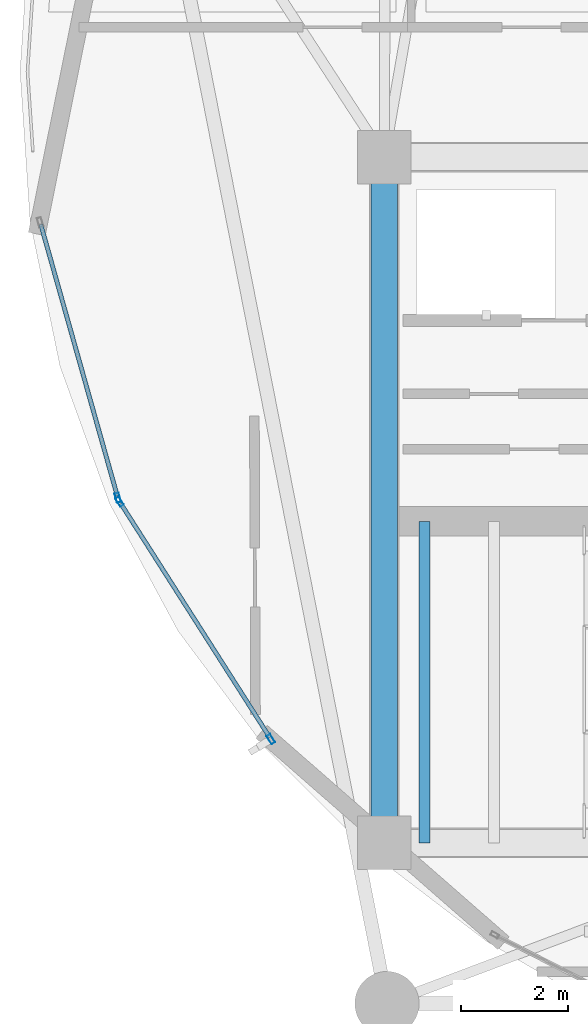
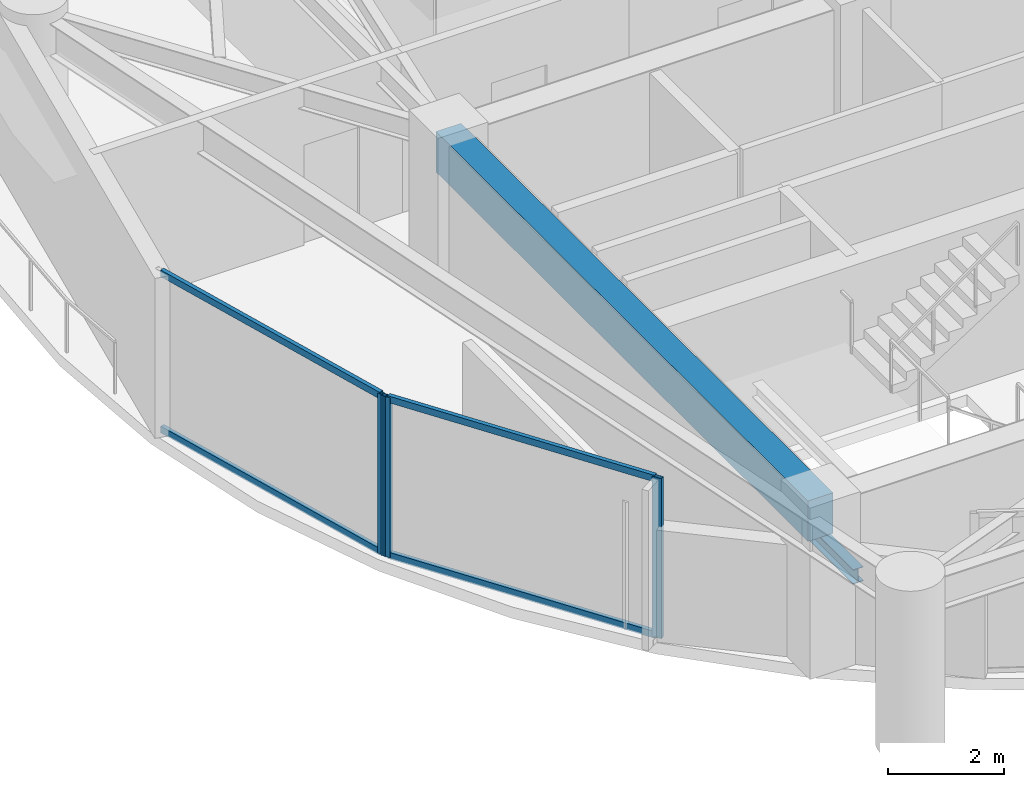
# One storey, part 3 of 28: 7 members, 2 beams, 2 elements without a shape of their own.
"""IFC4 building model written with IfcOpenShell, lengths in metres."""

from ifc_helpers import new_model, si_unit, direction, frame, origin, origin_2d, place, context, subcontext, project, spatial, rectangle, hollow_rectangle, i_section, extrude, material, layer, layer_set, material_profile, profile_set, type_object, element, aggregate, save


model = new_model("IFC4")

# Units and contexts
model_context = context("Model", 3, precision=1e-05, world=origin(), true_north=direction((0.0, 1.0)))
body_context = subcontext(model_context, "Body", "Model", "MODEL_VIEW")
ifc_project = project(units=[si_unit("LENGTHUNIT", "METRE"), si_unit("AREAUNIT", "SQUARE_METRE"), si_unit("VOLUMEUNIT", "CUBIC_METRE"), si_unit("PLANEANGLEUNIT", "RADIAN"), si_unit("MASSUNIT", "GRAM", prefix="KILO")], contexts=[model_context])

# Site, building, storey
site_placement = place(None, origin())
site = spatial("IfcSite", under=ifc_project, at=site_placement, CompositionType="ELEMENT")
building_placement = place(site_placement, origin())
building = spatial("IfcBuilding", under=site, at=building_placement, Name="Kazevale Care Tower and Concert Hall", CompositionType="ELEMENT")
storey_placement = place(building_placement, frame((0.0, 0.0, 135.0)))
storey = spatial("IfcBuildingStorey", under=building, at=storey_placement, Name="L35", CompositionType="ELEMENT", Elevation=135.0)

# Curtain wall, members
ifc_material_1 = material(Name="Aluminium 6063-T6 and Low-E Glass", Category="aluminium")
ifc_layer = layer(ifc_material_1, 0.179931640625)
ifc_layer_set = layer_set([ifc_layer], Name="Aluminium 6063-T6 and Low-E Glass")
curtain_wall_type = type_object("IfcCurtainWallType", Name="Waist & Upper Residential Curtain Wall CW-4", PredefinedType="NOTDEFINED", material=ifc_layer_set)
curtain_wall_1_placement = place(storey_placement, origin())
curtain_wall_1 = element("IfcCurtainWall", 1, at=curtain_wall_1_placement, inside=storey, type_object=curtain_wall_type, Name="cw:L35:f11", PredefinedType="NOTDEFINED")
ifc_material_2 = material(Name="Aluminium 6063-T6", Category="aluminium")
ifc_material_profile_1 = material_profile(ifc_material_2, hollow_rectangle(XDim=0.080078125, YDim=0.179931640625, WallThickness=0.0048828125, at=origin_2d()), Name="ALU80x180x5")
ifc_profile_set_1 = profile_set([ifc_material_profile_1], Name="Aluminium 6063-T6")
member_type_1 = type_object("IfcMemberType", Name="CW-4 Mullion ALU80x180x5", PredefinedType="MULLION", material=ifc_profile_set_1)
member_1_placement = place(storey_placement, frame((19.882568359375, 25.53564453125, 0.0), z_axis=(0.0, 0.0, 1.0), x_axis=(-0.843429930967, -0.537239193981, 0.0)))
member_1 = element("IfcMember", 2, at=member_1_placement, type_object=member_type_1, Name="CW-4 mullion 1", PredefinedType="MULLION", context=body_context, shape_type="SweptSolid", body=[
    extrude(hollow_rectangle(XDim=0.080078125, YDim=0.179931640625, WallThickness=0.0048828125, at=origin_2d()), origin(), (0.0, 0.0, 1.0), 3.360107421875),
])
member_2_placement = place(storey_placement, frame((17.05859375, 29.96923828125, 0.0), z_axis=(0.0, 0.0, 1.0), x_axis=(-0.843429930967, -0.537239193981, 0.0)))
member_2 = element("IfcMember", 3, at=member_2_placement, type_object=member_type_1, Name="CW-4 mullion 2", PredefinedType="MULLION", context=body_context, shape_type="SweptSolid", body=[
    extrude(hollow_rectangle(XDim=0.080078125, YDim=0.179931640625, WallThickness=0.0048828125, at=origin_2d()), origin(), (0.0, 0.0, 1.0), 3.360107421875),
])

# Curtain wall, member
curtain_wall_2_placement = place(storey_placement, origin())
curtain_wall_2 = element("IfcCurtainWall", 4, at=curtain_wall_2_placement, inside=storey, type_object=curtain_wall_type, Name="cw:L35:f12", PredefinedType="NOTDEFINED")
member_3_placement = place(storey_placement, frame((17.026123046875, 30.04150390625, 0.0), z_axis=(0.0, 0.0, 1.0), x_axis=(-0.962499078876, -0.271284948278, 0.0)))
member_3 = element("IfcMember", 5, at=member_3_placement, type_object=member_type_1, Name="CW-4 mullion 1", PredefinedType="MULLION", context=body_context, shape_type="SweptSolid", body=[
    extrude(hollow_rectangle(XDim=0.080078125, YDim=0.179931640625, WallThickness=0.0048828125, at=origin_2d()), origin(), (0.0, 0.0, 1.0), 3.360107421875),
])

# Member
ifc_material_profile_2 = material_profile(ifc_material_2, hollow_rectangle(XDim=0.080078125, YDim=0.139892578125, WallThickness=0.00390625, at=origin_2d()), Name="ALU80x140x4")
ifc_profile_set_2 = profile_set([ifc_material_profile_2], Name="Aluminium 6063-T6")
member_type_2 = type_object("IfcMemberType", Name="CW-4 Transom ALU80x140x4", PredefinedType="USERDEFINED", material=ifc_profile_set_2)
member_4_placement = place(storey_placement, frame((19.861083984375, 25.569580078125, 0.0400390625), z_axis=(-0.537241653837, 0.843428364109, 0.0), x_axis=(-0.843428364109, -0.537241653837, 0.0)))
member_4 = element("IfcMember", 6, at=member_4_placement, type_object=member_type_2, Name="CW-4 transom 1.1", ObjectType="TRANSOM", PredefinedType="USERDEFINED", context=body_context, shape_type="SweptSolid", body=[
    extrude(hollow_rectangle(XDim=0.080078125, YDim=0.139892578125, WallThickness=0.00390625, at=origin_2d()), origin(), (0.0, 0.0, 1.0), 5.176513671875),
])

member_5_placement = place(storey_placement, frame((19.861083984375, 25.569580078125, 3.320068359375), z_axis=(-0.537241653837, 0.843428364109, 0.0), x_axis=(-0.843428364109, -0.537241653837, 0.0)))
member_5 = element("IfcMember", 7, at=member_5_placement, type_object=member_type_2, Name="CW-4 transom 1.2", ObjectType="TRANSOM", PredefinedType="USERDEFINED", context=body_context, shape_type="SweptSolid", body=[
    extrude(hollow_rectangle(XDim=0.080078125, YDim=0.139892578125, WallThickness=0.00390625, at=origin_2d()), origin(), (0.0, 0.0, 1.0), 5.176513671875),
])

aggregate(curtain_wall_1, [member_1, member_2, member_4, member_5])

member_6_placement = place(storey_placement, frame((17.015380859375, 30.080078125, 0.0400390625), z_axis=(-0.271312503244, 0.962491311952, 0.0), x_axis=(-0.962491311952, -0.271312503244, 0.0)))
member_6 = element("IfcMember", 8, at=member_6_placement, type_object=member_type_2, Name="CW-4 transom 1.1", ObjectType="TRANSOM", PredefinedType="USERDEFINED", context=body_context, shape_type="SweptSolid", body=[
    extrude(hollow_rectangle(XDim=0.080078125, YDim=0.139892578125, WallThickness=0.00390625, at=origin_2d()), origin(), (0.0, 0.0, 1.0), 5.26220703125),
])

member_7_placement = place(storey_placement, frame((17.015380859375, 30.080078125, 3.320068359375), z_axis=(-0.271312503244, 0.962491311952, 0.0), x_axis=(-0.962491311952, -0.271312503244, 0.0)))
member_7 = element("IfcMember", 9, at=member_7_placement, type_object=member_type_2, Name="CW-4 transom 1.2", ObjectType="TRANSOM", PredefinedType="USERDEFINED", context=body_context, shape_type="SweptSolid", body=[
    extrude(hollow_rectangle(XDim=0.080078125, YDim=0.139892578125, WallThickness=0.00390625, at=origin_2d()), origin(), (0.0, 0.0, 1.0), 5.26220703125),
])

aggregate(curtain_wall_2, [member_3, member_6, member_7])

# Beams
ifc_material_3 = material(Name="Concrete C60", Category="concrete")
ifc_material_profile_3 = material_profile(ifc_material_3, rectangle(XDim=0.5, YDim=0.85009765625, at=origin_2d()), Name="RC-B500x850")
ifc_profile_set_3 = profile_set([ifc_material_profile_3], Name="Concrete C60")
beam_type_1 = type_object("IfcBeamType", Name="Core Coupling Beam RC500x850", PredefinedType="LINTEL", material=ifc_profile_set_3)
beam_1_placement = place(storey_placement, frame((22.0, 36.39990234375, 2.93505859375), z_axis=(0.0, -1.0, 0.0), x_axis=(1.0, 0.0, 0.0)))
element("IfcBeam", 10, at=beam_1_placement, inside=storey, type_object=beam_type_1, Name="beam:L35:coretie:8", PredefinedType="LINTEL", context=body_context, shape_type="SweptSolid", body=[
    extrude(rectangle(XDim=0.5, YDim=0.85009765625, at=origin_2d()), origin(), (0.0, 0.0, 1.0), 12.7998046875),
])
ifc_material_4 = material(Name="Steel ASTM A572 Gr 50", Category="steel")
ifc_material_profile_4 = material_profile(ifc_material_4, i_section(OverallWidth=0.202880859375, OverallDepth=0.302978515625, WebThickness=0.007568359375, FlangeThickness=0.01318359375, at=origin_2d()), Name="W310x60")
ifc_profile_set_4 = profile_set([ifc_material_profile_4], Name="Steel ASTM A572 Gr 50")
beam_type_2 = type_object("IfcBeamType", Name="Stair & Balcony Trimmer W310x60", PredefinedType="BEAM", material=ifc_profile_set_4)
beam_2_placement = place(storey_placement, frame((22.75, 23.60009765625, 1.448486328125), z_axis=(0.0, 1.0, 0.0), x_axis=(-1.0, 0.0, 0.0)))
element("IfcBeam", 11, at=beam_2_placement, inside=storey, type_object=beam_type_2, Name="beam:L35:sttrim:ST1", PredefinedType="BEAM", context=body_context, shape_type="SweptSolid", body=[
    extrude(i_section(OverallWidth=0.202880859375, OverallDepth=0.302978515625, WebThickness=0.007568359375, FlangeThickness=0.01318359375, at=origin_2d()), origin(), (0.0, 0.0, 1.0), 6.0),
])

save(model, "model.ifc")
